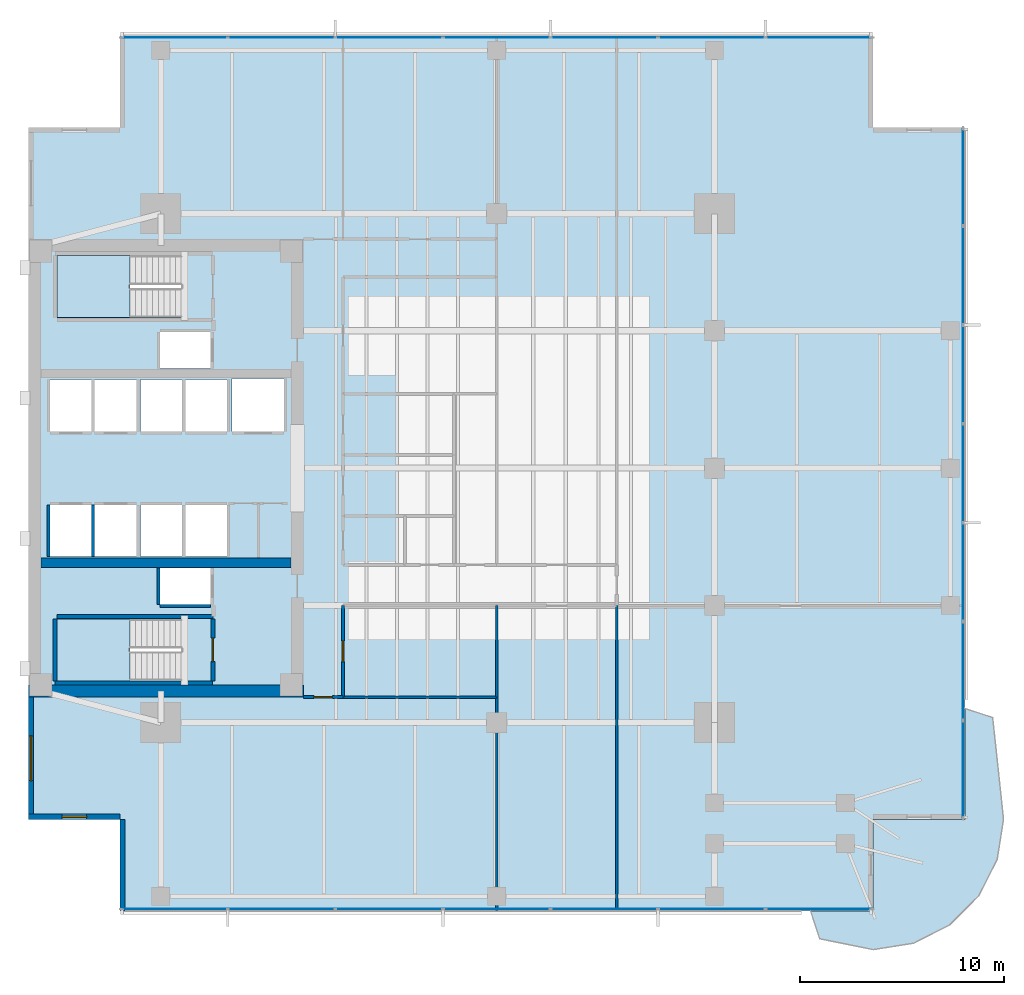
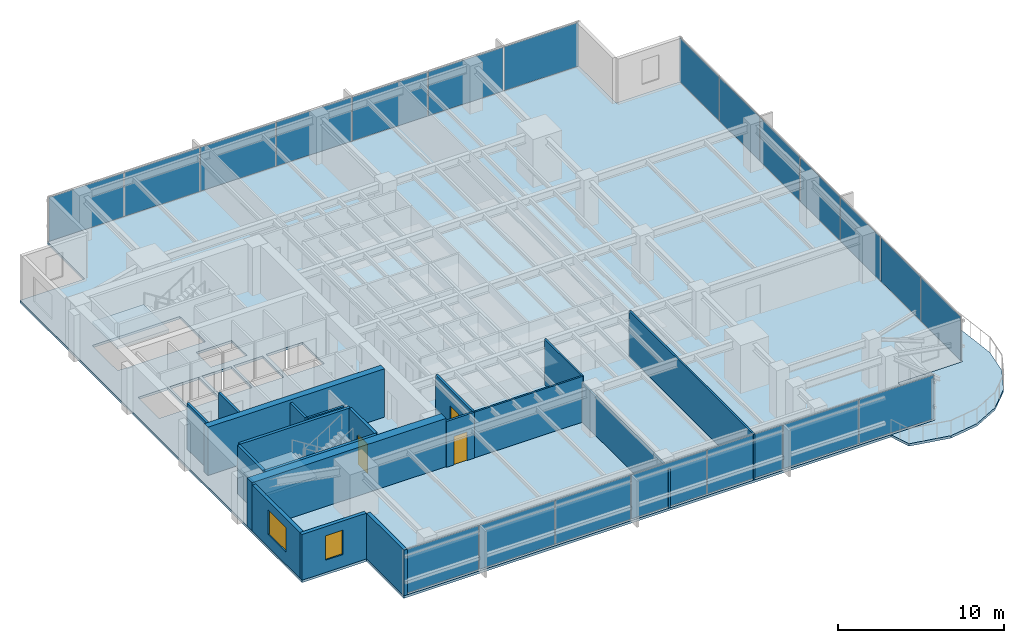
# One storey, part 7 of 14: 21 plates, 19 walls, 4 slabs, 3 doors, 2 windows, 5 openings, 5 elements without a shape of their own.
"""IFC4 building model written with IfcOpenShell, lengths in metres."""

from ifc_helpers import new_model, si_unit, direction, frame, frame_2d, origin, origin_2d, place, context, subcontext, project, spatial, polyline, rectangle, outline, extrude, material, layer, layer_set, type_object, element, fill, aggregate, save


model = new_model("IFC4")

# Units and contexts
model_context = context("Model", 3, precision=1e-05, world=origin(), true_north=direction((0.0, 1.0)))
body_context = subcontext(model_context, "Body", "Model", "MODEL_VIEW")
ifc_project = project(units=[si_unit("LENGTHUNIT", "METRE"), si_unit("AREAUNIT", "SQUARE_METRE"), si_unit("VOLUMEUNIT", "CUBIC_METRE"), si_unit("PLANEANGLEUNIT", "RADIAN"), si_unit("MASSUNIT", "GRAM", prefix="KILO")], contexts=[model_context])

# Site, building, storey
site_placement = place(None, origin())
site = spatial("IfcSite", under=ifc_project, at=site_placement, CompositionType="ELEMENT")
building_placement = place(site_placement, origin())
building = spatial("IfcBuilding", under=site, at=building_placement, Name="Kinhvarn Gate Tower", CompositionType="ELEMENT")
storey_placement = place(building_placement, frame((0.0, 0.0, 137.75)))
storey = spatial("IfcBuildingStorey", under=building, at=storey_placement, Name="L36", CompositionType="ELEMENT", Elevation=137.75)

# Curtain wall, plates
ifc_material_1 = material(Name="Anodised aluminium AW-6063", Category="aluminium")
ifc_layer_1 = layer(ifc_material_1, 0.179931640625)
ifc_layer_set_1 = layer_set([ifc_layer_1], Name="Anodised aluminium AW-6063")
curtain_wall_type = type_object("IfcCurtainWallType", Name="CW-SYS-3", PredefinedType="NOTDEFINED", material=ifc_layer_set_1)
curtain_wall_1_placement = place(storey_placement, origin())
curtain_wall_1 = element("IfcCurtainWall", 1, at=curtain_wall_1_placement, inside=storey, type_object=curtain_wall_type, Name="Curtain Wall CW3 (L36)", PredefinedType="NOTDEFINED")
ifc_material_2 = material(Name="Clear low-e double glazing", Category="glass")
ifc_layer_2 = layer(ifc_material_2, 0.031982421875)
ifc_layer_set_2 = layer_set([ifc_layer_2], Name="Clear low-e double glazing")
plate_type = type_object("IfcPlateType", Name="CW-PNL-VIS", PredefinedType="CURTAIN_PANEL", material=ifc_layer_set_2)
plate_1_placement = place(storey_placement, frame((11.6591796875, 3.590087890625, 0.070068359375), z_axis=(0.0, 0.0, 1.0), x_axis=(1.0, 0.0, 0.0)))
plate_1 = element("IfcPlate", 2, at=plate_1_placement, type_object=plate_type, Name="CW3 panel 1.1", PredefinedType="CURTAIN_PANEL", context=body_context, shape_type="SweptSolid", body=[
    extrude(rectangle(XDim=5.188232421875, YDim=0.031982421875, at=origin_2d()), origin(), (0.0, 0.0, 1.0), 3.22998046875),
])
plate_2_placement = place(storey_placement, frame((16.928466796875, 3.590087890625, 0.070068359375), z_axis=(0.0, 0.0, 1.0), x_axis=(1.0, 0.0, 0.0)))
plate_2 = element("IfcPlate", 3, at=plate_2_placement, type_object=plate_type, Name="CW3 panel 2.1", PredefinedType="CURTAIN_PANEL", context=body_context, shape_type="SweptSolid", body=[
    extrude(rectangle(XDim=5.220703125, YDim=0.031982421875, at=origin_2d()), origin(), (0.0, 0.0, 1.0), 3.22998046875),
])
plate_3_placement = place(storey_placement, frame((22.21435546875, 3.590087890625, 0.070068359375), z_axis=(0.0, 0.0, 1.0), x_axis=(1.0, 0.0, 0.0)))
plate_3 = element("IfcPlate", 4, at=plate_3_placement, type_object=plate_type, Name="CW3 panel 3.1", PredefinedType="CURTAIN_PANEL", context=body_context, shape_type="SweptSolid", body=[
    extrude(rectangle(XDim=5.220703125, YDim=0.031982421875, at=origin_2d()), origin(), (0.0, 0.0, 1.0), 3.22998046875),
])
plate_4_placement = place(storey_placement, frame((27.5, 3.590087890625, 0.070068359375), z_axis=(0.0, 0.0, 1.0), x_axis=(1.0, 0.0, 0.0)))
plate_4 = element("IfcPlate", 5, at=plate_4_placement, type_object=plate_type, Name="CW3 panel 4.1", PredefinedType="CURTAIN_PANEL", context=body_context, shape_type="SweptSolid", body=[
    extrude(rectangle(XDim=5.220703125, YDim=0.031982421875, at=origin_2d()), origin(), (0.0, 0.0, 1.0), 3.22998046875),
])
plate_5_placement = place(storey_placement, frame((32.78564453125, 3.590087890625, 0.070068359375), z_axis=(0.0, 0.0, 1.0), x_axis=(1.0, 0.0, 0.0)))
plate_5 = element("IfcPlate", 6, at=plate_5_placement, type_object=plate_type, Name="CW3 panel 5.1", PredefinedType="CURTAIN_PANEL", context=body_context, shape_type="SweptSolid", body=[
    extrude(rectangle(XDim=5.220703125, YDim=0.031982421875, at=origin_2d()), origin(), (0.0, 0.0, 1.0), 3.22998046875),
])
plate_6_placement = place(storey_placement, frame((38.071533203125, 3.590087890625, 0.070068359375), z_axis=(0.0, 0.0, 1.0), x_axis=(1.0, 0.0, 0.0)))
plate_6 = element("IfcPlate", 7, at=plate_6_placement, type_object=plate_type, Name="CW3 panel 6.1", PredefinedType="CURTAIN_PANEL", context=body_context, shape_type="SweptSolid", body=[
    extrude(rectangle(XDim=5.220703125, YDim=0.031982421875, at=origin_2d()), origin(), (0.0, 0.0, 1.0), 3.22998046875),
])
plate_7_placement = place(storey_placement, frame((43.3408203125, 3.590087890625, 0.070068359375), z_axis=(0.0, 0.0, 1.0), x_axis=(1.0, 0.0, 0.0)))
plate_7 = element("IfcPlate", 8, at=plate_7_placement, type_object=plate_type, Name="CW3 panel 7.1", PredefinedType="CURTAIN_PANEL", context=body_context, shape_type="SweptSolid", body=[
    extrude(rectangle(XDim=5.188232421875, YDim=0.031982421875, at=origin_2d()), origin(), (0.0, 0.0, 1.0), 3.22998046875),
])
aggregate(curtain_wall_1, [plate_1, plate_2, plate_3, plate_4, plate_5, plate_6, plate_7])

curtain_wall_2_placement = place(storey_placement, origin())
curtain_wall_2 = element("IfcCurtainWall", 9, at=curtain_wall_2_placement, inside=storey, type_object=curtain_wall_type, Name="Curtain Wall CW3 (L36)", PredefinedType="NOTDEFINED")
plate_8_placement = place(storey_placement, frame((43.3408203125, 46.409912109375, 0.070068359375), z_axis=(0.0, 0.0, 1.0), x_axis=(-1.0, 0.0, 0.0)))
plate_8 = element("IfcPlate", 10, at=plate_8_placement, type_object=plate_type, Name="CW3 panel 1.1", PredefinedType="CURTAIN_PANEL", context=body_context, shape_type="SweptSolid", body=[
    extrude(rectangle(XDim=5.188232421875, YDim=0.031982421875, at=origin_2d()), origin(), (0.0, 0.0, 1.0), 3.22998046875),
])
plate_9_placement = place(storey_placement, frame((38.071533203125, 46.409912109375, 0.070068359375), z_axis=(0.0, 0.0, 1.0), x_axis=(-1.0, 0.0, 0.0)))
plate_9 = element("IfcPlate", 11, at=plate_9_placement, type_object=plate_type, Name="CW3 panel 2.1", PredefinedType="CURTAIN_PANEL", context=body_context, shape_type="SweptSolid", body=[
    extrude(rectangle(XDim=5.220703125, YDim=0.031982421875, at=origin_2d()), origin(), (0.0, 0.0, 1.0), 3.22998046875),
])
plate_10_placement = place(storey_placement, frame((32.78564453125, 46.409912109375, 0.070068359375), z_axis=(0.0, 0.0, 1.0), x_axis=(-1.0, 0.0, 0.0)))
plate_10 = element("IfcPlate", 12, at=plate_10_placement, type_object=plate_type, Name="CW3 panel 3.1", PredefinedType="CURTAIN_PANEL", context=body_context, shape_type="SweptSolid", body=[
    extrude(rectangle(XDim=5.220703125, YDim=0.031982421875, at=origin_2d()), origin(), (0.0, 0.0, 1.0), 3.22998046875),
])
plate_11_placement = place(storey_placement, frame((27.5, 46.409912109375, 0.070068359375), z_axis=(0.0, 0.0, 1.0), x_axis=(-1.0, 0.0, 0.0)))
plate_11 = element("IfcPlate", 13, at=plate_11_placement, type_object=plate_type, Name="CW3 panel 4.1", PredefinedType="CURTAIN_PANEL", context=body_context, shape_type="SweptSolid", body=[
    extrude(rectangle(XDim=5.220703125, YDim=0.031982421875, at=origin_2d()), origin(), (0.0, 0.0, 1.0), 3.22998046875),
])
plate_12_placement = place(storey_placement, frame((22.21435546875, 46.409912109375, 0.070068359375), z_axis=(0.0, 0.0, 1.0), x_axis=(-1.0, 0.0, 0.0)))
plate_12 = element("IfcPlate", 14, at=plate_12_placement, type_object=plate_type, Name="CW3 panel 5.1", PredefinedType="CURTAIN_PANEL", context=body_context, shape_type="SweptSolid", body=[
    extrude(rectangle(XDim=5.220703125, YDim=0.031982421875, at=origin_2d()), origin(), (0.0, 0.0, 1.0), 3.22998046875),
])
plate_13_placement = place(storey_placement, frame((16.928466796875, 46.409912109375, 0.070068359375), z_axis=(0.0, 0.0, 1.0), x_axis=(-1.0, 0.0, 0.0)))
plate_13 = element("IfcPlate", 15, at=plate_13_placement, type_object=plate_type, Name="CW3 panel 6.1", PredefinedType="CURTAIN_PANEL", context=body_context, shape_type="SweptSolid", body=[
    extrude(rectangle(XDim=5.220703125, YDim=0.031982421875, at=origin_2d()), origin(), (0.0, 0.0, 1.0), 3.22998046875),
])
plate_14_placement = place(storey_placement, frame((11.6591796875, 46.409912109375, 0.070068359375), z_axis=(0.0, 0.0, 1.0), x_axis=(-1.0, 0.0, 0.0)))
plate_14 = element("IfcPlate", 16, at=plate_14_placement, type_object=plate_type, Name="CW3 panel 7.1", PredefinedType="CURTAIN_PANEL", context=body_context, shape_type="SweptSolid", body=[
    extrude(rectangle(XDim=5.188232421875, YDim=0.031982421875, at=origin_2d()), origin(), (0.0, 0.0, 1.0), 3.22998046875),
])
aggregate(curtain_wall_2, [plate_8, plate_9, plate_10, plate_11, plate_12, plate_13, plate_14])

curtain_wall_3_placement = place(storey_placement, origin())
curtain_wall_3 = element("IfcCurtainWall", 17, at=curtain_wall_3_placement, inside=storey, type_object=curtain_wall_type, Name="Curtain Wall CW3 (L36)", PredefinedType="NOTDEFINED")
plate_15_placement = place(storey_placement, frame((50.409912109375, 10.44482421875, 0.070068359375), z_axis=(0.0, 0.0, 1.0), x_axis=(0.0, 1.0, 0.0)))
plate_15 = element("IfcPlate", 18, at=plate_15_placement, type_object=plate_type, Name="CW3 panel 1.1", PredefinedType="CURTAIN_PANEL", context=body_context, shape_type="SweptSolid", body=[
    extrude(rectangle(XDim=4.759521484375, YDim=0.031982421875, at=origin_2d()), origin(), (0.0, 0.0, 1.0), 3.22998046875),
])
plate_16_placement = place(storey_placement, frame((50.409912109375, 15.28564453125, 0.070068359375), z_axis=(0.0, 0.0, 1.0), x_axis=(0.0, 1.0, 0.0)))
plate_16 = element("IfcPlate", 19, at=plate_16_placement, type_object=plate_type, Name="CW3 panel 2.1", PredefinedType="CURTAIN_PANEL", context=body_context, shape_type="SweptSolid", body=[
    extrude(rectangle(XDim=4.792236328125, YDim=0.031982421875, at=origin_2d()), origin(), (0.0, 0.0, 1.0), 3.22998046875),
])
plate_17_placement = place(storey_placement, frame((50.409912109375, 20.142822265625, 0.070068359375), z_axis=(0.0, 0.0, 1.0), x_axis=(0.0, 1.0, 0.0)))
plate_17 = element("IfcPlate", 20, at=plate_17_placement, type_object=plate_type, Name="CW3 panel 3.1", PredefinedType="CURTAIN_PANEL", context=body_context, shape_type="SweptSolid", body=[
    extrude(rectangle(XDim=4.792236328125, YDim=0.031982421875, at=origin_2d()), origin(), (0.0, 0.0, 1.0), 3.22998046875),
])
plate_18_placement = place(storey_placement, frame((50.409912109375, 25.0, 0.070068359375), z_axis=(0.0, 0.0, 1.0), x_axis=(0.0, 1.0, 0.0)))
plate_18 = element("IfcPlate", 21, at=plate_18_placement, type_object=plate_type, Name="CW3 panel 4.1", PredefinedType="CURTAIN_PANEL", context=body_context, shape_type="SweptSolid", body=[
    extrude(rectangle(XDim=4.792236328125, YDim=0.031982421875, at=origin_2d()), origin(), (0.0, 0.0, 1.0), 3.22998046875),
])
plate_19_placement = place(storey_placement, frame((50.409912109375, 29.857177734375, 0.070068359375), z_axis=(0.0, 0.0, 1.0), x_axis=(0.0, 1.0, 0.0)))
plate_19 = element("IfcPlate", 22, at=plate_19_placement, type_object=plate_type, Name="CW3 panel 5.1", PredefinedType="CURTAIN_PANEL", context=body_context, shape_type="SweptSolid", body=[
    extrude(rectangle(XDim=4.792236328125, YDim=0.031982421875, at=origin_2d()), origin(), (0.0, 0.0, 1.0), 3.22998046875),
])
plate_20_placement = place(storey_placement, frame((50.409912109375, 34.71435546875, 0.070068359375), z_axis=(0.0, 0.0, 1.0), x_axis=(0.0, 1.0, 0.0)))
plate_20 = element("IfcPlate", 23, at=plate_20_placement, type_object=plate_type, Name="CW3 panel 6.1", PredefinedType="CURTAIN_PANEL", context=body_context, shape_type="SweptSolid", body=[
    extrude(rectangle(XDim=4.792236328125, YDim=0.031982421875, at=origin_2d()), origin(), (0.0, 0.0, 1.0), 3.22998046875),
])
plate_21_placement = place(storey_placement, frame((50.409912109375, 39.55517578125, 0.070068359375), z_axis=(0.0, 0.0, 1.0), x_axis=(0.0, 1.0, 0.0)))
plate_21 = element("IfcPlate", 24, at=plate_21_placement, type_object=plate_type, Name="CW3 panel 7.1", PredefinedType="CURTAIN_PANEL", context=body_context, shape_type="SweptSolid", body=[
    extrude(rectangle(XDim=4.759521484375, YDim=0.031982421875, at=origin_2d()), origin(), (0.0, 0.0, 1.0), 3.22998046875),
])
aggregate(curtain_wall_3, [plate_15, plate_16, plate_17, plate_18, plate_19, plate_20, plate_21])

# Slabs
ifc_material_3 = material(Name="Precast white architectural concrete C40/50", Category="concrete")
ifc_layer_3 = layer(ifc_material_3, 0.179931640625)
ifc_layer_set_3 = layer_set([ifc_layer_3], Name="Precast white architectural concrete C40/50")
slab_type_1 = type_object("IfcSlabType", Name="SLB-BAL-180", PredefinedType="FLOOR", material=ifc_layer_set_3)
slab_1_placement = place(storey_placement, frame((0.0, 0.0, -0.179931640625)))
element("IfcSlab", 25, at=slab_1_placement, inside=storey, type_object=slab_type_1, Name="S-Carve Curved Terrace Balcony Slab L36 (SE)", PredefinedType="FLOOR", context=body_context, shape_type="SweptSolid", body=[
    extrude(outline(polyline([(42.919921875, 3.5), (43.3701171875, 2.1298828125), (46.0, 1.596923828125), (47.978515625, 1.910400390625), (49.763671875, 2.81982421875), (51.18017578125, 4.236328125), (52.089599609375, 6.021484375), (52.403076171875, 8.0), (51.8701171875, 12.9951171875), (50.5, 13.445068359375), (50.5, 8.0), (46.0, 8.0), (46.0, 3.5), (42.919921875, 3.5)])), origin(), (0.0, 0.0, 1.0), 0.179931640625),
])
ifc_material_4 = material(Name="Concrete C40/50", Category="concrete")
ifc_layer_4 = layer(ifc_material_4, 0.179931640625)
ifc_layer_set_4 = layer_set([ifc_layer_4], Name="Concrete C40/50")
slab_type_2 = type_object("IfcSlabType", Name="SLB-FLR-180", PredefinedType="FLOOR", material=ifc_layer_set_4)
slab_2_placement = place(storey_placement, frame((0.0, 0.0, -0.179931640625)))
element("IfcSlab", 26, at=slab_2_placement, inside=storey, type_object=slab_type_2, Name="Suspended Floor Slab L36", PredefinedType="FLOOR", context=body_context, shape_type="SweptSolid", body=[
    extrude(outline(polyline([(9.0, 3.5), (46.0, 3.5), (46.0, 8.0), (50.5, 8.0), (50.5, 42.0), (46.0, 42.0), (46.0, 46.5), (9.0, 46.5), (9.0, 42.0), (4.5, 42.0), (4.5, 8.0), (9.0, 8.0), (9.0, 3.5)]), holes=[polyline([(5.89990234375, 14.800048828125), (12.0, 14.800048828125), (12.0, 17.85009765625), (5.89990234375, 17.85009765625), (5.89990234375, 14.800048828125)]), polyline([(5.89990234375, 32.64990234375), (12.0, 32.64990234375), (12.0, 35.699951171875), (5.89990234375, 35.699951171875), (5.89990234375, 32.64990234375)]), polyline([(5.550048828125, 20.89990234375), (7.60009765625, 20.89990234375), (7.60009765625, 23.449951171875), (5.550048828125, 23.449951171875), (5.550048828125, 20.89990234375)]), polyline([(7.75, 20.89990234375), (9.800048828125, 20.89990234375), (9.800048828125, 23.449951171875), (7.75, 23.449951171875), (7.75, 20.89990234375)]), polyline([(5.550048828125, 27.050048828125), (7.60009765625, 27.050048828125), (7.60009765625, 29.60009765625), (5.550048828125, 29.60009765625), (5.550048828125, 27.050048828125)]), polyline([(7.75, 27.050048828125), (9.800048828125, 27.050048828125), (9.800048828125, 29.60009765625), (7.75, 29.60009765625), (7.75, 27.050048828125)]), polyline([(10.0, 20.89990234375), (12.050048828125, 20.89990234375), (12.050048828125, 23.449951171875), (10.0, 23.449951171875), (10.0, 20.89990234375)]), polyline([(12.199951171875, 20.89990234375), (14.25, 20.89990234375), (14.25, 23.449951171875), (12.199951171875, 23.449951171875), (12.199951171875, 20.89990234375)]), polyline([(10.0, 27.050048828125), (12.050048828125, 27.050048828125), (12.050048828125, 29.60009765625), (10.0, 29.60009765625), (10.0, 27.050048828125)]), polyline([(12.199951171875, 27.050048828125), (14.25, 27.050048828125), (14.25, 29.60009765625), (12.199951171875, 29.60009765625), (12.199951171875, 27.050048828125)]), polyline([(14.5, 27.050048828125), (17.050048828125, 27.050048828125), (17.050048828125, 29.64990234375), (14.5, 29.64990234375), (14.5, 27.050048828125)]), polyline([(10.949951171875, 18.550048828125), (13.449951171875, 18.550048828125), (13.449951171875, 20.35009765625), (10.949951171875, 20.35009765625), (10.949951171875, 18.550048828125)]), polyline([(10.949951171875, 30.14990234375), (13.449951171875, 30.14990234375), (13.449951171875, 31.949951171875), (10.949951171875, 31.949951171875), (10.949951171875, 30.14990234375)])]), origin(), (0.0, 0.0, 1.0), 0.179931640625),
])

# Stair, slab
stair_type = type_object("IfcStairType", Name="STR-DLG-178", PredefinedType="HALF_TURN_STAIR", material=ifc_material_4)
stair_1_placement = place(storey_placement, origin())
stair_1 = element("IfcStair", 27, at=stair_1_placement, inside=storey, type_object=stair_type, Name="L36 Core Smokeproof Exit Stair ST1", PredefinedType="HALF_TURN_STAIR")
ifc_layer_5 = layer(ifc_material_4, 0.199951171875)
ifc_layer_set_5 = layer_set([ifc_layer_5], Name="Concrete C40/50")
slab_type_3 = type_object("IfcSlabType", Name="SLB-ST-LND", PredefinedType="LANDING", material=ifc_layer_set_5)
slab_3_placement = place(storey_placement, frame((0.0, 0.0, 1.574951171875)))
slab_3 = element("IfcSlab", 28, at=slab_3_placement, type_object=slab_type_3, Name="ST1 landing 1", PredefinedType="LANDING", context=body_context, shape_type="SweptSolid", body=[
    extrude(outline(polyline([(9.47998046875, 17.85009765625), (5.89990234375, 17.85009765625), (5.89990234375, 14.800048828125), (9.47998046875, 14.800048828125), (9.47998046875, 17.85009765625)])), origin(), (0.0, 0.0, 1.0), 0.199951171875),
])
aggregate(stair_1, [slab_3])

stair_2_placement = place(storey_placement, origin())
stair_2 = element("IfcStair", 29, at=stair_2_placement, inside=storey, type_object=stair_type, Name="L36 Core Smokeproof Exit Stair ST2", PredefinedType="HALF_TURN_STAIR")
slab_4_placement = place(storey_placement, frame((0.0, 0.0, 1.574951171875)))
slab_4 = element("IfcSlab", 30, at=slab_4_placement, type_object=slab_type_3, Name="ST2 landing 1", PredefinedType="LANDING", context=body_context, shape_type="SweptSolid", body=[
    extrude(outline(polyline([(9.47998046875, 35.699951171875), (5.89990234375, 35.699951171875), (5.89990234375, 32.64990234375), (9.47998046875, 32.64990234375), (9.47998046875, 35.699951171875)])), origin(), (0.0, 0.0, 1.0), 0.199951171875),
])
aggregate(stair_2, [slab_4])

# Walls
ifc_material_5 = material(Name="Concrete C50/60", Category="concrete")
ifc_layer_6 = layer(ifc_material_5, 0.449951171875)
ifc_layer_set_6 = layer_set([ifc_layer_6], Name="Concrete C50/60")
wall_type_1 = type_object("IfcWallType", Name="WL-CORE-450", PredefinedType="SHEAR", material=ifc_layer_set_6)
wall_1_placement = place(storey_placement, frame((5.10009765625, 20.60009765625, 0.0), z_axis=(0.0, 0.0, 1.0), x_axis=(1.0, 0.0, 0.0)))
element("IfcWall", 31, at=wall_1_placement, inside=storey, type_object=wall_type_1, Name="Core South Spine Shear Wall L36 450 mm", PredefinedType="SHEAR", context=body_context, shape_type="SweptSolid", body=[
    extrude(rectangle(XDim=12.2998046875, YDim=0.449951171875, at=frame_2d((6.14990234375, 0.0))), origin(), (0.0, 0.0, 1.0), 3.550048828125),
])
ifc_material_6 = material(Name="Concrete C60/75", Category="concrete")
ifc_layer_7 = layer(ifc_material_6, 0.60009765625)
ifc_layer_set_7 = layer_set([ifc_layer_7], Name="Concrete C60/75")
wall_type_2 = type_object("IfcWallType", Name="WL-CORE-600", PredefinedType="SHEAR", material=ifc_layer_set_7)
wall_2_placement = place(storey_placement, frame((4.5, 14.300048828125, 0.0), z_axis=(0.0, 0.0, 1.0), x_axis=(1.0, 0.0, 0.0)))
element("IfcWall", 32, at=wall_2_placement, inside=storey, type_object=wall_type_2, Name="Core South Shear Wall L36 600 mm", PredefinedType="SHEAR", context=body_context, shape_type="SweptSolid", body=[
    extrude(rectangle(XDim=13.5, YDim=0.60009765625, at=frame_2d((6.75, 0.0))), origin(), (0.0, 0.0, 1.0), 3.550048828125),
])

# Wall, opening, window
ifc_material_7 = material(Name="Fired architectural terracotta", Category="masonry")
ifc_layer_8 = layer(ifc_material_7, 0.25)
ifc_layer_set_8 = layer_set([ifc_layer_8], Name="Fired architectural terracotta")
wall_type_3 = type_object("IfcWallType", Name="WL-EXT-250", PredefinedType="SOLIDWALL", material=ifc_layer_set_8)
wall_3_placement = place(storey_placement, frame((4.625, 14.0, 0.0), z_axis=(0.0, 0.0, 1.0), x_axis=(0.0, -1.0, 0.0)))
wall_3 = element("IfcWall", 33, at=wall_3_placement, inside=storey, type_object=wall_type_3, Name="Exterior Solidwall Wall EW-250 (L36 West-South)", PredefinedType="SOLIDWALL", context=body_context, shape_type="SweptSolid", body=[
    extrude(rectangle(XDim=6.0, YDim=0.25, at=frame_2d((3.0, 0.0))), origin(), (0.0, 0.0, 1.0), 3.3701171875),
])
opening_1_placement = place(wall_3_placement, frame((1.89990234375, 0.0, 0.89990234375)))
opening_1 = element("IfcOpeningElement", 34, at=opening_1_placement, cuts=wall_3, Name="Opening WN-01", PredefinedType="OPENING", context=body_context, shape_type="SweptSolid", body=[
    extrude(rectangle(XDim=2.199951171875, YDim=1.800048828125, at=frame_2d((1.10009765625, 0.89990234375))), frame((0.0, 0.135009765625, 0.0), z_axis=(0.0, -1.0, 0.0), x_axis=(1.0, 0.0, 0.0)), (0.0, 0.0, 1.0), 0.27001953125),
])
window_type_1 = type_object("IfcWindowType", Name="WIN-RIB-2200", PartitioningType="SINGLE_PANEL", PredefinedType="WINDOW", material=ifc_material_2)
window_1_placement = place(opening_1_placement, origin())
window_1 = element("IfcWindow", 35, at=window_1_placement, inside=storey, type_object=window_type_1, Name="West Flank Double-Glazed Ribbon Window 2200x1800 mm (L36)", OverallHeight=1.800048828125, OverallWidth=2.199951171875, PartitioningType="SINGLE_PANEL", PredefinedType="WINDOW", context=body_context, shape_type="SweptSolid", body=[
    extrude(rectangle(XDim=2.199951171875, YDim=1.800048828125, at=frame_2d((1.10009765625, 0.89990234375))), frame((0.0, 0.030029296875, 0.0), z_axis=(0.0, -1.0, 0.0), x_axis=(1.0, 0.0, 0.0)), (0.0, 0.0, 1.0), 0.06005859375),
])
fill(opening_1, window_1)

wall_4_placement = place(storey_placement, frame((4.5, 8.125, 0.0), z_axis=(0.0, 0.0, 1.0), x_axis=(1.0, 0.0, 0.0)))
wall_4 = element("IfcWall", 36, at=wall_4_placement, inside=storey, type_object=wall_type_3, Name="Exterior Solidwall Wall EW-250 (L36 SW-Notch-1)", PredefinedType="SOLIDWALL", context=body_context, shape_type="SweptSolid", body=[
    extrude(rectangle(XDim=4.5, YDim=0.25, at=frame_2d((2.25, 0.0))), origin(), (0.0, 0.0, 1.0), 3.3701171875),
])
opening_2_placement = place(wall_4_placement, frame((1.64990234375, 0.0, 0.89990234375)))
opening_2 = element("IfcOpeningElement", 37, at=opening_2_placement, cuts=wall_4, Name="Opening WN-02", PredefinedType="OPENING", context=body_context, shape_type="SweptSolid", body=[
    extrude(rectangle(XDim=1.199951171875, YDim=1.800048828125, at=frame_2d((0.60009765625, 0.89990234375))), frame((0.0, 0.135009765625, 0.0), z_axis=(0.0, -1.0, 0.0), x_axis=(1.0, 0.0, 0.0)), (0.0, 0.0, 1.0), 0.27001953125),
])
window_type_2 = type_object("IfcWindowType", Name="WIN-NTC-1200", PartitioningType="SINGLE_PANEL", PredefinedType="WINDOW", material=ifc_material_2)
window_2_placement = place(opening_2_placement, origin())
window_2 = element("IfcWindow", 38, at=window_2_placement, inside=storey, type_object=window_type_2, Name="Recessed Corner Notch Punched Window 1200x1800 mm (L36)", OverallHeight=1.800048828125, OverallWidth=1.199951171875, PartitioningType="SINGLE_PANEL", PredefinedType="WINDOW", context=body_context, shape_type="SweptSolid", body=[
    extrude(rectangle(XDim=1.199951171875, YDim=1.800048828125, at=frame_2d((0.60009765625, 0.89990234375))), frame((0.0, 0.030029296875, 0.0), z_axis=(0.0, -1.0, 0.0), x_axis=(1.0, 0.0, 0.0)), (0.0, 0.0, 1.0), 0.06005859375),
])
fill(opening_2, window_2)

# Walls
wall_5_placement = place(storey_placement, frame((9.125, 8.0, 0.0), z_axis=(0.0, 0.0, 1.0), x_axis=(0.0, -1.0, 0.0)))
element("IfcWall", 39, at=wall_5_placement, inside=storey, type_object=wall_type_3, Name="Exterior Solidwall Wall EW-250 (L36 SW-Notch-2)", PredefinedType="SOLIDWALL", context=body_context, shape_type="SweptSolid", body=[
    extrude(rectangle(XDim=4.5, YDim=0.25, at=frame_2d((2.25, 0.0))), origin(), (0.0, 0.0, 1.0), 3.3701171875),
])
ifc_material_8 = material(Name="Gypsum acoustic partition board")
ifc_layer_9 = layer(ifc_material_8, 0.1201171875)
ifc_layer_set_9 = layer_set([ifc_layer_9], Name="Gypsum acoustic partition board")
wall_type_4 = type_object("IfcWallType", Name="WL-PRT-120", PredefinedType="PARTITIONING", material=ifc_layer_set_9)
wall_6_placement = place(storey_placement, frame((19.949951171875, 14.0, 0.0), z_axis=(0.0, 0.0, 1.0), x_axis=(1.0, 0.0, 0.0)))
element("IfcWall", 40, at=wall_6_placement, inside=storey, type_object=wall_type_4, Name="Interior Partition PW-120 (L36)", PredefinedType="PARTITIONING", context=body_context, shape_type="SweptSolid", body=[
    extrude(rectangle(XDim=7.550048828125, YDim=0.1201171875, at=frame_2d((3.77490234375, 0.0))), origin(), (0.0, 0.0, 1.0), 3.3701171875),
])
wall_7_placement = place(storey_placement, frame((27.5, 3.510009765625, 0.0), z_axis=(0.0, 0.0, 1.0), x_axis=(0.0, 1.0, 0.0)))
element("IfcWall", 41, at=wall_7_placement, inside=storey, type_object=wall_type_4, Name="Interior Partition PW-120 (L36)", PredefinedType="PARTITIONING", context=body_context, shape_type="SweptSolid", body=[
    extrude(rectangle(XDim=10.489990234375, YDim=0.1201171875, at=frame_2d((5.2451171875, 0.0))), origin(), (0.0, 0.0, 1.0), 2.8701171875),
])
wall_8_placement = place(storey_placement, frame((27.5, 14.0, 0.0), z_axis=(0.0, 0.0, 1.0), x_axis=(0.0, 1.0, 0.0)))
element("IfcWall", 42, at=wall_8_placement, inside=storey, type_object=wall_type_4, Name="Interior Partition PW-120 (L36)", PredefinedType="PARTITIONING", context=body_context, shape_type="SweptSolid", body=[
    extrude(rectangle(XDim=4.5, YDim=0.1201171875, at=frame_2d((2.25, 0.0))), origin(), (0.0, 0.0, 1.0), 3.3701171875),
])
wall_9_placement = place(storey_placement, frame((33.39990234375, 3.510009765625, 0.0), z_axis=(0.0, 0.0, 1.0), x_axis=(0.0, 1.0, 0.0)))
element("IfcWall", 43, at=wall_9_placement, inside=storey, type_object=wall_type_4, Name="Interior Partition PW-120 (L36)", PredefinedType="PARTITIONING", context=body_context, shape_type="SweptSolid", body=[
    extrude(rectangle(XDim=14.989990234375, YDim=0.1201171875, at=frame_2d((7.4951171875, 0.0))), origin(), (0.0, 0.0, 1.0), 3.3701171875),
])

# Wall, opening, door
ifc_layer_10 = layer(ifc_material_8, 0.14990234375)
ifc_layer_set_10 = layer_set([ifc_layer_10], Name="Gypsum acoustic partition board")
wall_type_5 = type_object("IfcWallType", Name="WL-PRT-150F", PredefinedType="PARTITIONING", material=ifc_layer_set_10)
wall_10_placement = place(storey_placement, frame((18.0, 14.0, 0.0), z_axis=(0.0, 0.0, 1.0), x_axis=(1.0, 0.0, 0.0)))
wall_10 = element("IfcWall", 44, at=wall_10_placement, inside=storey, type_object=wall_type_5, Name="Interior Partition PW-150F (L36)", PredefinedType="PARTITIONING", context=body_context, shape_type="SweptSolid", body=[
    extrude(rectangle(XDim=1.949951171875, YDim=0.14990234375, at=frame_2d((0.97509765625, 0.0))), origin(), (0.0, 0.0, 1.0), 3.3701171875),
])
opening_3_placement = place(wall_10_placement, frame((0.52490234375, 0.0, 0.0)))
opening_3 = element("IfcOpeningElement", 45, at=opening_3_placement, cuts=wall_10, Name="Opening ID-03", PredefinedType="OPENING", context=body_context, shape_type="SweptSolid", body=[
    extrude(rectangle(XDim=0.89990234375, YDim=2.10009765625, at=frame_2d((0.449951171875, 1.050048828125))), frame((0.0, 0.0849609375, 0.0), z_axis=(0.0, -1.0, 0.0), x_axis=(1.0, 0.0, 0.0)), (0.0, 0.0, 1.0), 0.169921875),
])
door_type_1 = type_object("IfcDoorType", Name="DR-INT-900", OperationType="NOTDEFINED", PredefinedType="DOOR", material=ifc_material_1)
door_1_placement = place(opening_3_placement, origin())
door_1 = element("IfcDoor", 46, at=door_1_placement, inside=storey, type_object=door_type_1, Name="Cellular Office & Restroom Door 900x2100 mm (L36)", OperationType="SINGLE_SWING_LEFT", OverallHeight=2.10009765625, OverallWidth=0.89990234375, PredefinedType="DOOR", context=body_context, shape_type="SweptSolid", body=[
    extrude(rectangle(XDim=0.89990234375, YDim=2.10009765625, at=frame_2d((0.449951171875, 1.050048828125))), frame((0.0, 0.02490234375, 0.0), z_axis=(0.0, -1.0, 0.0), x_axis=(1.0, 0.0, 0.0)), (0.0, 0.0, 1.0), 0.050048828125),
])
fill(opening_3, door_1)

wall_11_placement = place(storey_placement, frame((19.949951171875, 14.0, 0.0), z_axis=(0.0, 0.0, 1.0), x_axis=(0.0, 1.0, 0.0)))
wall_11 = element("IfcWall", 47, at=wall_11_placement, inside=storey, type_object=wall_type_5, Name="Interior Partition PW-150F (L36)", PredefinedType="PARTITIONING", context=body_context, shape_type="SweptSolid", body=[
    extrude(rectangle(XDim=4.5, YDim=0.14990234375, at=frame_2d((2.25, 0.0))), origin(), (0.0, 0.0, 1.0), 3.3701171875),
])
opening_4_placement = place(wall_11_placement, frame((1.75, 0.0, 0.0)))
opening_4 = element("IfcOpeningElement", 48, at=opening_4_placement, cuts=wall_11, Name="Opening ID-02", PredefinedType="OPENING", context=body_context, shape_type="SweptSolid", body=[
    extrude(rectangle(XDim=1.0, YDim=2.14990234375, at=frame_2d((0.5, 1.074951171875))), frame((0.0, 0.0849609375, 0.0), z_axis=(0.0, -1.0, 0.0), x_axis=(1.0, 0.0, 0.0)), (0.0, 0.0, 1.0), 0.169921875),
])
door_type_2 = type_object("IfcDoorType", Name="DR-INT-1000", OperationType="NOTDEFINED", PredefinedType="DOOR", material=ifc_material_1)
door_2_placement = place(opening_4_placement, origin())
door_2 = element("IfcDoor", 49, at=door_2_placement, inside=storey, type_object=door_type_2, Name="Standard Office & Meeting Room Door 1000x2150 mm (L36)", OperationType="SINGLE_SWING_RIGHT", OverallHeight=2.14990234375, OverallWidth=1.0, PredefinedType="DOOR", context=body_context, shape_type="SweptSolid", body=[
    extrude(rectangle(XDim=1.0, YDim=2.14990234375, at=frame_2d((0.5, 1.074951171875))), frame((0.0, 0.02490234375, 0.0), z_axis=(0.0, -1.0, 0.0), x_axis=(1.0, 0.0, 0.0)), (0.0, 0.0, 1.0), 0.050048828125),
])
fill(opening_4, door_2)

# Walls
ifc_layer_11 = layer(ifc_material_8, 0.14990234375)
ifc_layer_set_11 = layer_set([ifc_layer_11], Name="Gypsum acoustic partition board")
wall_type_6 = type_object("IfcWallType", Name="WL-SHF-150", PredefinedType="PARTITIONING", material=ifc_layer_set_11)
for number, where, z_axis, x_axis, name in (
    (50, (5.47509765625, 20.89990234375, 0.0), (0.0, 0.0, 1.0), (0.0, 1.0, 0.0), "Elevator PM-05 Hoistway Wall W (L36)"),
    (51, (7.675048828125, 20.89990234375, 0.0), (0.0, 0.0, 1.0), (0.0, 1.0, 0.0), "Elevator PM-05 Hoistway Wall E (L36)"),
):
    element("IfcWall", number, at=place(storey_placement, frame(where, z_axis=z_axis, x_axis=x_axis)), inside=storey, type_object=wall_type_6, Name=name, PredefinedType="PARTITIONING", context=body_context, shape_type="SweptSolid", body=[
        extrude(rectangle(XDim=2.550048828125, YDim=0.14990234375, at=frame_2d((1.27490234375, 0.0))), origin(), (0.0, 0.0, 1.0), 3.3701171875),
    ])
wall_12_placement = place(storey_placement, frame((10.949951171875, 18.47509765625, 0.0), z_axis=(0.0, 0.0, 1.0), x_axis=(1.0, 0.0, 0.0)))
element("IfcWall", 52, at=wall_12_placement, inside=storey, type_object=wall_type_6, Name="Elevator FF1 Hoistway Wall S (L36)", PredefinedType="PARTITIONING", context=body_context, shape_type="SweptSolid", body=[
    extrude(rectangle(XDim=2.5, YDim=0.14990234375, at=frame_2d((1.25, 0.0))), origin(), (0.0, 0.0, 1.0), 3.3701171875),
])
wall_13_placement = place(storey_placement, frame((10.875, 18.550048828125, 0.0), z_axis=(0.0, 0.0, 1.0), x_axis=(0.0, 1.0, 0.0)))
element("IfcWall", 53, at=wall_13_placement, inside=storey, type_object=wall_type_6, Name="Elevator FF1 Hoistway Wall W (L36)", PredefinedType="PARTITIONING", context=body_context, shape_type="SweptSolid", body=[
    extrude(rectangle(XDim=1.800048828125, YDim=0.14990234375, at=frame_2d((0.89990234375, 0.0))), origin(), (0.0, 0.0, 1.0), 3.3701171875),
])
ifc_layer_12 = layer(ifc_material_4, 0.199951171875)
ifc_layer_set_12 = layer_set([ifc_layer_12], Name="Concrete C40/50")
wall_type_7 = type_object("IfcWallType", Name="WL-SHF-200", PredefinedType="SOLIDWALL", material=ifc_layer_set_12)
wall_14_placement = place(storey_placement, frame((5.800048828125, 14.699951171875, 0.0), z_axis=(0.0, 0.0, 1.0), x_axis=(1.0, 0.0, 0.0)))
element("IfcWall", 54, at=wall_14_placement, inside=storey, type_object=wall_type_7, Name="Stair ST1 South Shaft Wall (L36)", PredefinedType="SOLIDWALL", context=body_context, shape_type="SweptSolid", body=[
    extrude(rectangle(XDim=7.75, YDim=0.199951171875, at=frame_2d((3.875, 0.0))), origin(), (0.0, 0.0, 1.0), 3.550048828125),
])
wall_15_placement = place(storey_placement, frame((5.7900390625, 14.800048828125, 0.0), z_axis=(0.0, 0.0, 1.0), x_axis=(0.0, 1.0, 0.0)))
element("IfcWall", 55, at=wall_15_placement, inside=storey, type_object=wall_type_7, Name="Stair ST1 West Shaft Wall (L36)", PredefinedType="SOLIDWALL", context=body_context, shape_type="SweptSolid", body=[
    extrude(rectangle(XDim=3.050048828125, YDim=0.199951171875, at=frame_2d((1.52490234375, 0.0))), origin(), (0.0, 0.0, 1.0), 3.550048828125),
])
wall_16_placement = place(storey_placement, frame((5.89990234375, 17.9599609375, 0.0), z_axis=(0.0, 0.0, 1.0), x_axis=(1.0, 0.0, 0.0)))
element("IfcWall", 56, at=wall_16_placement, inside=storey, type_object=wall_type_7, Name="Stair ST1 North Shaft Wall (L36)", PredefinedType="SOLIDWALL", context=body_context, shape_type="SweptSolid", body=[
    extrude(rectangle(XDim=7.66015625, YDim=0.199951171875, at=frame_2d((3.830078125, 0.0))), origin(), (0.0, 0.0, 1.0), 3.550048828125),
])

# Wall, opening, door
wall_17_placement = place(storey_placement, frame((13.56005859375, 14.800048828125, 0.0), z_axis=(0.0, 0.0, 1.0), x_axis=(0.0, 1.0, 0.0)))
wall_17 = element("IfcWall", 57, at=wall_17_placement, inside=storey, type_object=wall_type_7, Name="Stair ST1 East Entry Wall (L36)", PredefinedType="SOLIDWALL", context=body_context, shape_type="SweptSolid", body=[
    extrude(rectangle(XDim=3.050048828125, YDim=0.199951171875, at=frame_2d((1.52490234375, 0.0))), origin(), (0.0, 0.0, 1.0), 3.550048828125),
])
opening_5_placement = place(wall_17_placement, frame((0.949951171875, 0.0, 0.0)))
opening_5 = element("IfcOpeningElement", 58, at=opening_5_placement, cuts=wall_17, Name="Opening FD-01", PredefinedType="OPENING", context=body_context, shape_type="SweptSolid", body=[
    extrude(rectangle(XDim=1.14990234375, YDim=2.14990234375, at=frame_2d((0.574951171875, 1.074951171875))), frame((0.0, 0.10986328125, 0.0), z_axis=(0.0, -1.0, 0.0), x_axis=(1.0, 0.0, 0.0)), (0.0, 0.0, 1.0), 0.219970703125),
])
door_type_3 = type_object("IfcDoorType", Name="DR-ST-1150", OperationType="NOTDEFINED", PredefinedType="DOOR", material=ifc_material_1)
door_3_placement = place(opening_5_placement, origin())
door_3 = element("IfcDoor", 59, at=door_3_placement, inside=storey, type_object=door_type_3, Name="Exit Stair ST1 Fire Door (L36)", OperationType="SINGLE_SWING_RIGHT", OverallHeight=2.14990234375, OverallWidth=1.14990234375, PredefinedType="DOOR", context=body_context, shape_type="SweptSolid", body=[
    extrude(rectangle(XDim=1.14990234375, YDim=2.14990234375, at=frame_2d((0.574951171875, 1.074951171875))), frame((0.0, 0.02490234375, 0.0), z_axis=(0.0, -1.0, 0.0), x_axis=(1.0, 0.0, 0.0)), (0.0, 0.0, 1.0), 0.050048828125),
])
fill(opening_5, door_3)

save(model, "model.ifc")
